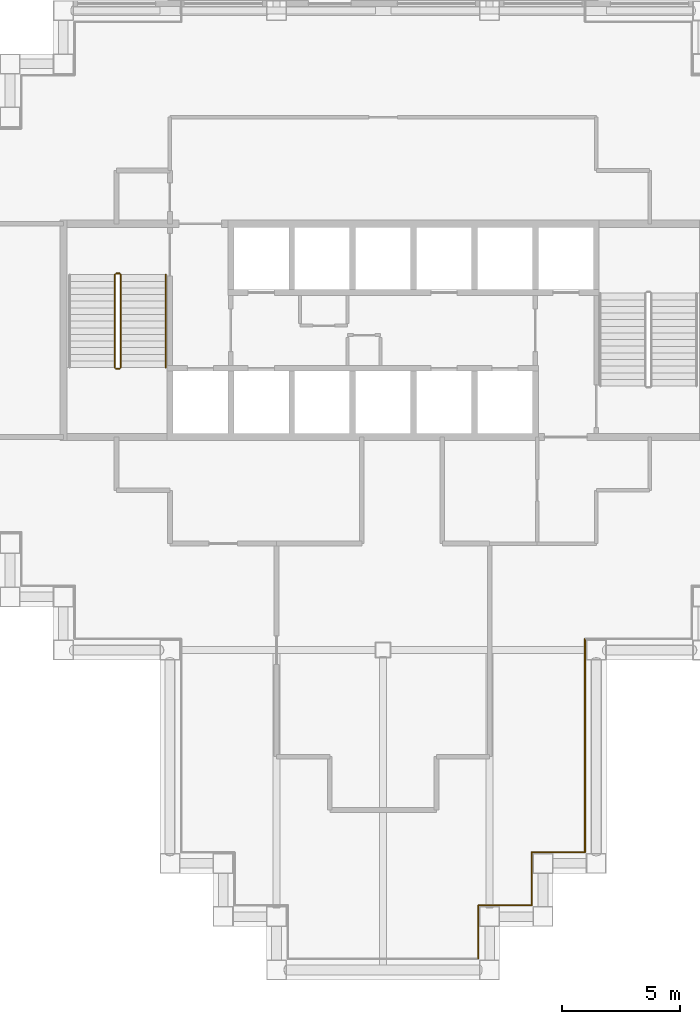
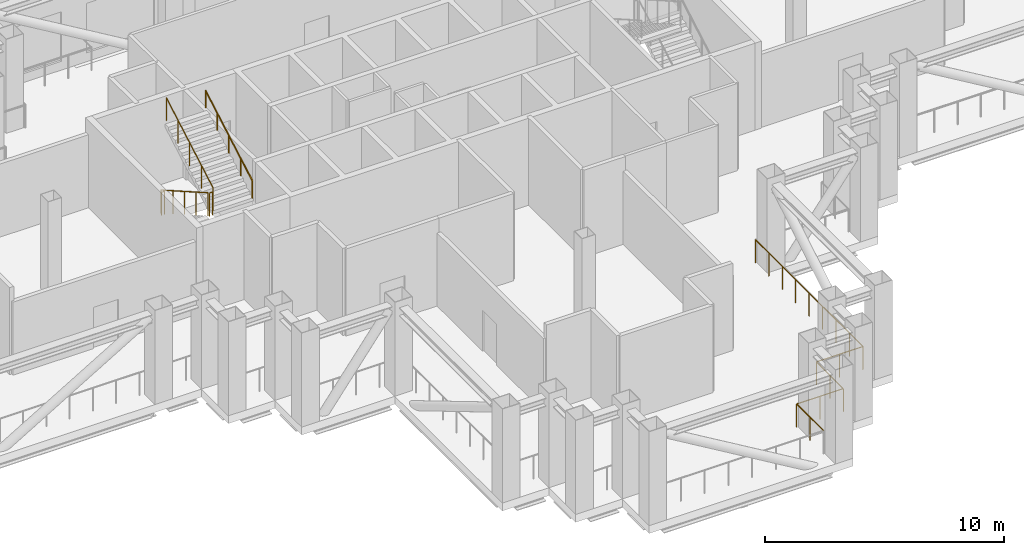
# One storey, part 8 of 10: 10 railings.
"""IFC4 building model written with IfcOpenShell, lengths in metres."""

from ifc_helpers import new_model, si_unit, direction, frame, origin, origin_2d, place, context, subcontext, project, spatial, circle, extrude, material, type_object, element, save


model = new_model("IFC4")

# Units and contexts
model_context = context("Model", 3, precision=1e-05, world=origin(), true_north=direction((0.0, 1.0)))
body_context = subcontext(model_context, "Body", "Model", "MODEL_VIEW")
ifc_project = project(units=[si_unit("LENGTHUNIT", "METRE"), si_unit("AREAUNIT", "SQUARE_METRE"), si_unit("VOLUMEUNIT", "CUBIC_METRE"), si_unit("PLANEANGLEUNIT", "RADIAN"), si_unit("MASSUNIT", "GRAM", prefix="KILO")], contexts=[model_context])

# Site, building, storey
site_placement = place(None, origin())
site = spatial("IfcSite", under=ifc_project, at=site_placement, CompositionType="ELEMENT")
building_placement = place(site_placement, origin())
building = spatial("IfcBuilding", under=site, at=building_placement, Name="Caravel Reach Hotel and Residences", CompositionType="ELEMENT")
storey_placement = place(building_placement, frame((0.0, 0.0, 140.39990234375)))
storey = spatial("IfcBuildingStorey", under=building, at=storey_placement, Name="L35", CompositionType="ELEMENT", Elevation=140.39990234375)

# Railings
ifc_material_1 = material(Name="Stainless steel S30408", Category="steel")
railing_type_1 = type_object("IfcRailingType", Name="G1 Guard 1200 stainless", PredefinedType="GUARDRAIL", material=ifc_material_1)
railing_1_placement = place(storey_placement, frame((35.52490234375, 0.47509765625, 0.0)))
element("IfcRailing", 1, at=railing_1_placement, inside=storey, type_object=railing_type_1, Name="Guard L35 1 run 38", PredefinedType="GUARDRAIL", context=body_context, shape_type="SweptSolid", body=[
    extrude(circle(Radius=0.02392578125, at=origin_2d()), frame((0.0, 0.0, 1.17578125), z_axis=(0.0, 1.0, 0.0), x_axis=(-1.0, 0.0, 0.0)), (0.0, 0.0, 1.0), 2.25),
    extrude(circle(Radius=0.02099609375, at=origin_2d()), frame((0.0, 1.125, 0.0)), (0.0, 0.0, 1.0), 1.15185546875),
    extrude(circle(Radius=0.02099609375, at=origin_2d()), frame((0.0, 2.25, 0.0)), (0.0, 0.0, 1.0), 1.15185546875),
])
railing_2_placement = place(storey_placement, frame((35.52490234375, 2.72509765625, 0.0)))
element("IfcRailing", 2, at=railing_2_placement, inside=storey, type_object=railing_type_1, Name="Guard L35 1 run 39", PredefinedType="GUARDRAIL", context=body_context, shape_type="SweptSolid", body=[
    extrude(circle(Radius=0.02392578125, at=origin_2d()), frame((0.0, 0.0, 1.17578125), z_axis=(1.0, 0.0, 0.0), x_axis=(0.0, 1.0, 0.0)), (0.0, 0.0, 1.0), 2.25),
    extrude(circle(Radius=0.02099609375, at=origin_2d()), frame((1.125, 0.0, 0.0)), (0.0, 0.0, 1.0), 1.15185546875),
    extrude(circle(Radius=0.02099609375, at=origin_2d()), frame((2.25, 0.0, 0.0)), (0.0, 0.0, 1.0), 1.15185546875),
])
railing_3_placement = place(storey_placement, frame((37.77490234375, 2.72509765625, 0.0)))
element("IfcRailing", 3, at=railing_3_placement, inside=storey, type_object=railing_type_1, Name="Guard L35 1 run 40", PredefinedType="GUARDRAIL", context=body_context, shape_type="SweptSolid", body=[
    extrude(circle(Radius=0.02392578125, at=origin_2d()), frame((0.0, 0.0, 1.17578125), z_axis=(0.0, 1.0, 0.0), x_axis=(-1.0, 0.0, 0.0)), (0.0, 0.0, 1.0), 2.25),
    extrude(circle(Radius=0.02099609375, at=origin_2d()), frame((0.0, 1.125, 0.0)), (0.0, 0.0, 1.0), 1.15185546875),
    extrude(circle(Radius=0.02099609375, at=origin_2d()), frame((0.0, 2.25, 0.0)), (0.0, 0.0, 1.0), 1.15185546875),
])
railing_4_placement = place(storey_placement, frame((37.77490234375, 4.97509765625, 0.0)))
element("IfcRailing", 4, at=railing_4_placement, inside=storey, type_object=railing_type_1, Name="Guard L35 1 run 41", PredefinedType="GUARDRAIL", context=body_context, shape_type="SweptSolid", body=[
    extrude(circle(Radius=0.02392578125, at=origin_2d()), frame((0.0, 0.0, 1.17578125), z_axis=(1.0, 0.0, 0.0), x_axis=(0.0, 1.0, 0.0)), (0.0, 0.0, 1.0), 2.25),
    extrude(circle(Radius=0.02099609375, at=origin_2d()), frame((1.125, 0.0, 0.0)), (0.0, 0.0, 1.0), 1.15185546875),
    extrude(circle(Radius=0.02099609375, at=origin_2d()), frame((2.25, 0.0, 0.0)), (0.0, 0.0, 1.0), 1.15185546875),
])
railing_5_placement = place(storey_placement, frame((40.02490234375, 4.97509765625, 0.0)))
element("IfcRailing", 5, at=railing_5_placement, inside=storey, type_object=railing_type_1, Name="Guard L35 1 run 42", PredefinedType="GUARDRAIL", context=body_context, shape_type="SweptSolid", body=[
    extrude(circle(Radius=0.02392578125, at=origin_2d()), frame((0.0, 0.0, 1.17578125), z_axis=(0.0, 1.0, 0.0), x_axis=(-1.0, 0.0, 0.0)), (0.0, 0.0, 1.0), 9.0),
    extrude(circle(Radius=0.02099609375, at=origin_2d()), frame((0.0, 1.125, 0.0)), (0.0, 0.0, 1.0), 1.15185546875),
    extrude(circle(Radius=0.02099609375, at=origin_2d()), frame((0.0, 2.25, 0.0)), (0.0, 0.0, 1.0), 1.15185546875),
    extrude(circle(Radius=0.02099609375, at=origin_2d()), frame((0.0, 3.375, 0.0)), (0.0, 0.0, 1.0), 1.15185546875),
    extrude(circle(Radius=0.02099609375, at=origin_2d()), frame((0.0, 4.5, 0.0)), (0.0, 0.0, 1.0), 1.15185546875),
    extrude(circle(Radius=0.02099609375, at=origin_2d()), frame((0.0, 5.625, 0.0)), (0.0, 0.0, 1.0), 1.15185546875),
    extrude(circle(Radius=0.02099609375, at=origin_2d()), frame((0.0, 6.75, 0.0)), (0.0, 0.0, 1.0), 1.15185546875),
    extrude(circle(Radius=0.02099609375, at=origin_2d()), frame((0.0, 7.875, 0.0)), (0.0, 0.0, 1.0), 1.15185546875),
    extrude(circle(Radius=0.02099609375, at=origin_2d()), frame((0.0, 9.0, 0.0)), (0.0, 0.0, 1.0), 1.15185546875),
])
ifc_material_2 = material(Name="Steel balustrade with glass infill", Category="steel")
railing_type_2 = type_object("IfcRailingType", Name="Guard 1200", PredefinedType="GUARDRAIL", material=ifc_material_2)
railing_6_placement = place(storey_placement, frame((20.175048828125, 29.35009765625, 0.16015625)))
element("IfcRailing", 6, at=railing_6_placement, inside=storey, type_object=railing_type_2, Name="L35 ST-A stair guard 1", PredefinedType="GUARDRAIL", context=body_context, shape_type="SweptSolid", body=[
    extrude(circle(Radius=0.02392578125, at=origin_2d()), frame((0.0, 0.0, 1.17578125), z_axis=(0.0, -0.86825312469, 0.496121468458), x_axis=(1.0, 0.0, 0.0)), (0.0, 0.0, 1.0), 4.514892578125),
    extrude(circle(Radius=0.02099609375, at=origin_2d()), origin(), (0.0, 0.0, 1.0), 1.15185546875),
    extrude(circle(Radius=0.02099609375, at=origin_2d()), frame((0.0, -0.97998046875, 0.56005859375)), (0.0, 0.0, 1.0), 1.15185546875),
    extrude(circle(Radius=0.02099609375, at=origin_2d()), frame((0.0, -1.9599609375, 1.1201171875)), (0.0, 0.0, 1.0), 1.15185546875),
    extrude(circle(Radius=0.02099609375, at=origin_2d()), frame((0.0, -2.940185546875, 1.679931640625)), (0.0, 0.0, 1.0), 1.15185546875),
    extrude(circle(Radius=0.02099609375, at=origin_2d()), frame((0.0, -3.920166015625, 2.239990234375)), (0.0, 0.0, 1.0), 1.15185546875),
])
railing_7_placement = place(storey_placement, frame((20.22509765625, 25.3798828125, 2.400146484375)))
element("IfcRailing", 7, at=railing_7_placement, inside=storey, type_object=railing_type_2, Name="L35 ST-A stair guard 2", PredefinedType="GUARDRAIL", context=body_context, shape_type="SweptSolid", body=[
    extrude(circle(Radius=0.02392578125, at=origin_2d()), frame((0.0, 0.0, 1.17578125), z_axis=(1.0, 0.0, 0.0), x_axis=(0.0, 1.0, 0.0)), (0.0, 0.0, 1.0), 0.14990234375),
    extrude(circle(Radius=0.02099609375, at=origin_2d()), origin(), (0.0, 0.0, 1.0), 1.15185546875),
    extrude(circle(Radius=0.02099609375, at=origin_2d()), frame((0.14990234375, 0.0, 0.0)), (0.0, 0.0, 1.0), 1.15185546875),
])
railing_8_placement = place(storey_placement, frame((20.425048828125, 25.429931640625, 2.56005859375)))
element("IfcRailing", 8, at=railing_8_placement, inside=storey, type_object=railing_type_2, Name="L35 ST-A stair guard 3", PredefinedType="GUARDRAIL", context=body_context, shape_type="SweptSolid", body=[
    extrude(circle(Radius=0.02392578125, at=origin_2d()), frame((0.0, 0.0, 1.17578125), z_axis=(0.0, 0.86825312469, 0.496121468458), x_axis=(-1.0, 0.0, 0.0)), (0.0, 0.0, 1.0), 4.514892578125),
    extrude(circle(Radius=0.02099609375, at=origin_2d()), origin(), (0.0, 0.0, 1.0), 1.15185546875),
    extrude(circle(Radius=0.02099609375, at=origin_2d()), frame((0.0, 0.97998046875, 0.56005859375)), (0.0, 0.0, 1.0), 1.15185546875),
    extrude(circle(Radius=0.02099609375, at=origin_2d()), frame((0.0, 1.9599609375, 1.1201171875)), (0.0, 0.0, 1.0), 1.15185546875),
    extrude(circle(Radius=0.02099609375, at=origin_2d()), frame((0.0, 2.940185546875, 1.679931640625)), (0.0, 0.0, 1.0), 1.15185546875),
    extrude(circle(Radius=0.02099609375, at=origin_2d()), frame((0.0, 3.920166015625, 2.239990234375)), (0.0, 0.0, 1.0), 1.15185546875),
])
railing_9_placement = place(storey_placement, frame((20.22509765625, 29.39990234375, 0.0)))
element("IfcRailing", 9, at=railing_9_placement, inside=storey, type_object=railing_type_2, Name="L35 ST-A stair guard 4", PredefinedType="GUARDRAIL", context=body_context, shape_type="SweptSolid", body=[
    extrude(circle(Radius=0.02392578125, at=origin_2d()), frame((0.0, 0.0, 1.17578125), z_axis=(1.0, 0.0, 0.0), x_axis=(0.0, 1.0, 0.0)), (0.0, 0.0, 1.0), 0.14990234375),
    extrude(circle(Radius=0.02099609375, at=origin_2d()), origin(), (0.0, 0.0, 1.0), 1.15185546875),
    extrude(circle(Radius=0.02099609375, at=origin_2d()), frame((0.14990234375, 0.0, 0.0)), (0.0, 0.0, 1.0), 1.15185546875),
])
ifc_material_3 = material(Name="Stainless steel handrail", Category="steel")
railing_type_3 = type_object("IfcRailingType", Name="Handrail 900", PredefinedType="HANDRAIL", material=ifc_material_3)
railing_10_placement = place(storey_placement, frame((22.324951171875, 25.429931640625, 2.56005859375)))
element("IfcRailing", 10, at=railing_10_placement, inside=storey, type_object=railing_type_3, Name="L35 ST-A stair handrail 2", PredefinedType="HANDRAIL", context=body_context, shape_type="SweptSolid", body=[
    extrude(circle(Radius=0.02392578125, at=origin_2d()), frame((0.0, 0.0, 0.8759765625), z_axis=(0.0, 0.86825312469, 0.496121468458), x_axis=(-1.0, 0.0, 0.0)), (0.0, 0.0, 1.0), 4.514892578125),
    extrude(circle(Radius=0.02099609375, at=origin_2d()), origin(), (0.0, 0.0, 1.0), 0.851806640625),
    extrude(circle(Radius=0.02099609375, at=origin_2d()), frame((0.0, 0.97998046875, 0.56005859375)), (0.0, 0.0, 1.0), 0.851806640625),
    extrude(circle(Radius=0.02099609375, at=origin_2d()), frame((0.0, 1.9599609375, 1.1201171875)), (0.0, 0.0, 1.0), 0.851806640625),
    extrude(circle(Radius=0.02099609375, at=origin_2d()), frame((0.0, 2.940185546875, 1.679931640625)), (0.0, 0.0, 1.0), 0.851806640625),
    extrude(circle(Radius=0.02099609375, at=origin_2d()), frame((0.0, 3.920166015625, 2.239990234375)), (0.0, 0.0, 1.0), 0.851806640625),
])

save(model, "model.ifc")
